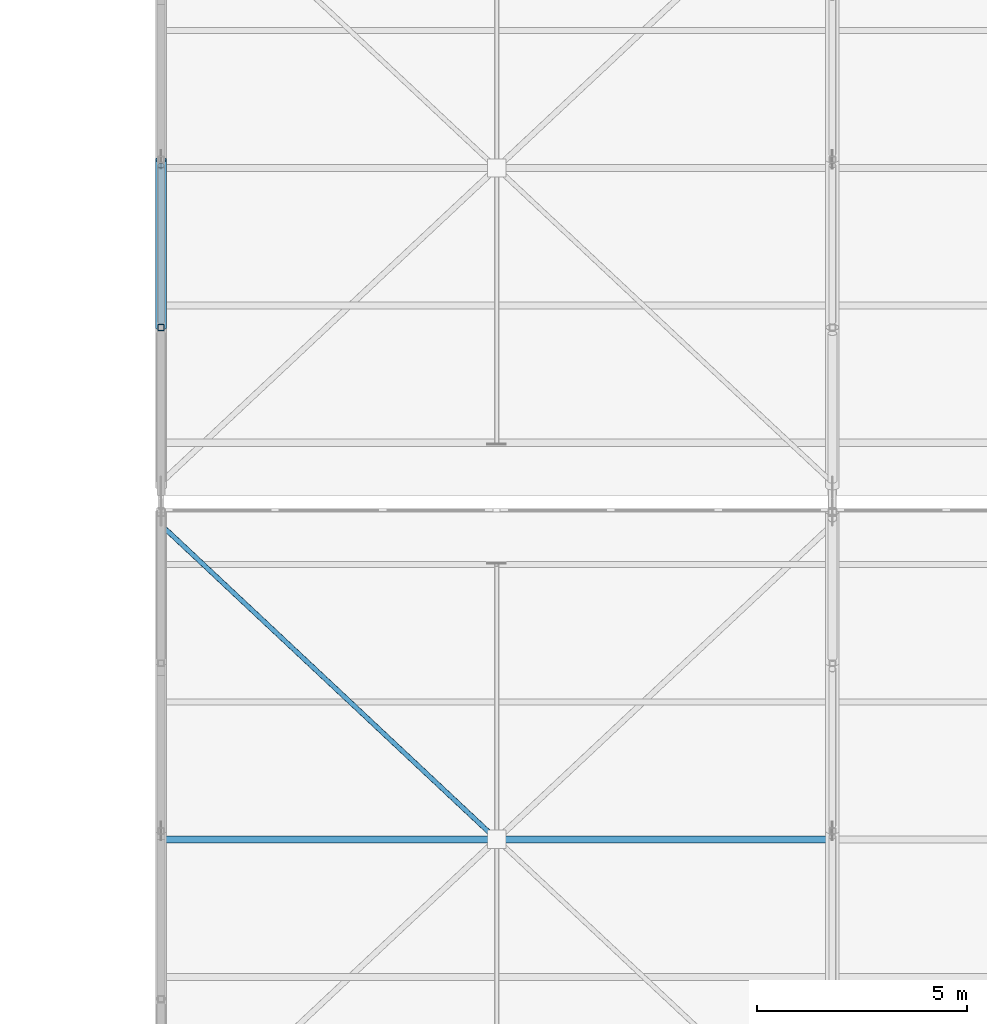
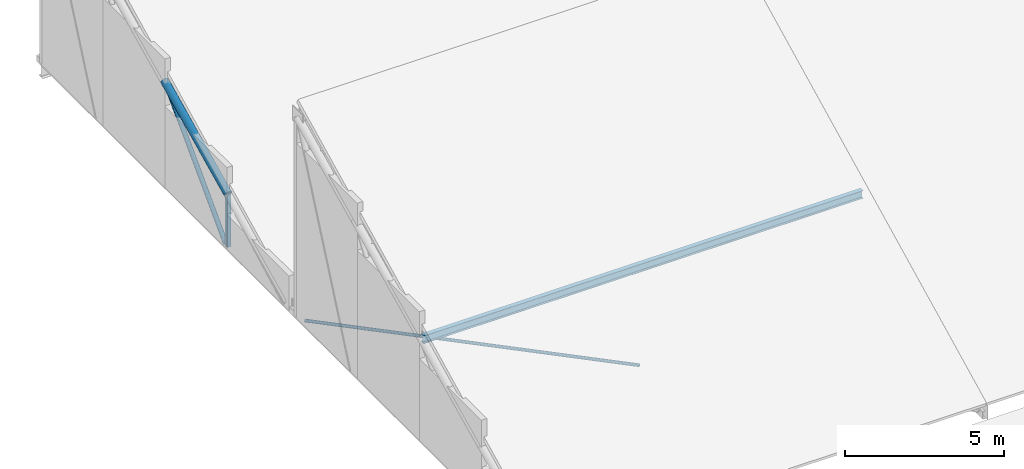
# One storey, part 41 of 137: 4 members, 1 beam.
"""IFC4 building model written with IfcOpenShell, lengths in metres."""

from ifc_helpers import new_model, si_unit, direction, frame, origin, origin_2d, place, context, subcontext, project, spatial, hollow_rectangle, hollow_circle, i_section, extrude, material, material_profile, profile_set, type_object, element, save


model = new_model("IFC4")

# Units and contexts
model_context = context("Model", 3, precision=1e-05, world=origin(), true_north=direction((0.0, 1.0)))
body_context = subcontext(model_context, "Body", "Model", "MODEL_VIEW")
ifc_project = project(units=[si_unit("LENGTHUNIT", "METRE"), si_unit("AREAUNIT", "SQUARE_METRE"), si_unit("VOLUMEUNIT", "CUBIC_METRE"), si_unit("PLANEANGLEUNIT", "RADIAN"), si_unit("MASSUNIT", "GRAM", prefix="KILO")], contexts=[model_context])

# Site, building, storey
site_placement = place(None, origin())
site = spatial("IfcSite", under=ifc_project, at=site_placement, CompositionType="ELEMENT")
building_placement = place(site_placement, origin())
building = spatial("IfcBuilding", under=site, at=building_placement, Name="Jelvoka-Kovrelna Polytechnic", CompositionType="ELEMENT")
storey_placement = place(building_placement, frame((0.0, 0.0, 9.60009765625)))
storey = spatial("IfcBuildingStorey", under=building, at=storey_placement, Name="L03", CompositionType="ELEMENT", Elevation=9.60009765625)

# Members
ifc_material_1 = material(Name="Structural steel S355J2H", Category="steel")
ifc_material_profile_1 = material_profile(ifc_material_1, hollow_circle(Radius=0.05712890625, WallThickness=0.00634765625, at=origin_2d()), Name="114.3x6.3 CHS")
ifc_profile_set_1 = profile_set([ifc_material_profile_1], Name="Structural steel S355J2H")
member_type_1 = type_object("IfcMemberType", Name="Member_Brace_CHS114", PredefinedType="BRACE", material=ifc_profile_set_1)
member_1_placement = place(storey_placement, frame((88.050048828125, 103.25, 0.14990234375), z_axis=(0.729679522085, -0.683789291412, 0.0), x_axis=(0.683789291412, 0.729679522085, 0.0)))
element("IfcMember", 1, at=member_1_placement, inside=storey, type_object=member_type_1, Name="Sawtooth roof split X-brace half-diagonal 0203", PredefinedType="BRACE", context=body_context, shape_type="SweptSolid", body=[
    extrude(hollow_circle(Radius=0.05712890625, WallThickness=0.00634765625, at=origin_2d()), origin(), (0.0, 0.0, 1.0), 10.80517578125),
])
ifc_material_2 = material(Name="Structural steel S355J2H", Category="steel")
ifc_material_profile_2 = material_profile(ifc_material_2, hollow_circle(Radius=0.084228515625, WallThickness=0.008056640625, at=origin_2d()), Name="168.3x8.0 CHS")
ifc_profile_set_2 = profile_set([ifc_material_profile_2], Name="Structural steel S355J2H")
member_type_2 = type_object("IfcMemberType", Name="Member_Brace_CHS168", PredefinedType="BRACE", material=ifc_profile_set_2)
member_2_placement = place(storey_placement, frame((88.0, 108.139892578125, 0.14990234375), z_axis=(0.0, 0.69521468222, 0.718802160282), x_axis=(-1.0, 0.0, 0.0)))
element("IfcMember", 2, at=member_2_placement, inside=storey, type_object=member_type_2, Name="Sawtooth truss 1 diagonal web 2.2", PredefinedType="BRACE", context=body_context, shape_type="SweptSolid", body=[
    extrude(hollow_circle(Radius=0.084228515625, WallThickness=0.008056640625, at=origin_2d()), origin(), (0.0, 0.0, 1.0), 5.35107421875),
])
ifc_material_3 = material(Name="Structural steel S355J2H", Category="steel")
ifc_material_profile_3 = material_profile(ifc_material_3, hollow_circle(Radius=0.136474609375, WallThickness=0.010009765625, at=origin_2d()), Name="273.0x10.0 CHS")
ifc_profile_set_3 = profile_set([ifc_material_profile_3], Name="Structural steel S355J2H")
member_type_3 = type_object("IfcMemberType", Name="Member_Chord_CHS273", PredefinedType="CHORD", material=ifc_profile_set_3)
member_3_placement = place(storey_placement, frame((88.0, 108.0, 2.148193359375), z_axis=(0.0, 0.900799405566, 0.434235455637), x_axis=(-1.0, 0.0, 0.0)))
element("IfcMember", 3, at=member_3_placement, inside=storey, type_object=member_type_3, Name="Sawtooth truss 1 top chord 2.2", PredefinedType="CHORD", context=body_context, shape_type="SweptSolid", body=[
    extrude(hollow_circle(Radius=0.136474609375, WallThickness=0.010009765625, at=origin_2d()), origin(), (0.0, 0.0, 1.0), 4.4404296875),
])
ifc_material_4 = material(Name="Structural steel S355J2H", Category="steel")
ifc_material_profile_4 = material_profile(ifc_material_4, hollow_rectangle(XDim=0.14990234375, YDim=0.14990234375, WallThickness=0.008056640625, InnerFilletRadius=0.008056640625, OuterFilletRadius=0.011962890625, at=origin_2d()), Name="150x150x8.0 SHS")
ifc_profile_set_4 = profile_set([ifc_material_profile_4], Name="Structural steel S355J2H")
member_type_4 = type_object("IfcMemberType", Name="Member_Post_SHS150", PredefinedType="POST", material=ifc_profile_set_4)
member_4_placement = place(storey_placement, frame((88.0, 108.0, 0.14990234375), z_axis=(0.0, 0.0, 1.0), x_axis=(1.0, 0.0, 0.0)))
element("IfcMember", 4, at=member_4_placement, inside=storey, type_object=member_type_4, Name="Sawtooth truss 1 web post 2.2", PredefinedType="POST", context=body_context, shape_type="SweptSolid", body=[
    extrude(hollow_rectangle(XDim=0.14990234375, YDim=0.14990234375, WallThickness=0.008056640625, InnerFilletRadius=0.008056640625, OuterFilletRadius=0.011962890625, at=origin_2d()), origin(), (0.0, 0.0, 1.0), 1.998291015625),
])

# Beam
ifc_material_5 = material(Name="Structural steel S355JR", Category="steel")
ifc_material_profile_5 = material_profile(ifc_material_5, i_section(OverallWidth=0.1650390625, OverallDepth=0.303466796875, WebThickness=0.006103515625, FlangeThickness=0.01025390625, FilletRadius=0.0087890625, at=origin_2d()), Name="305x165x40 UB")
ifc_profile_set_5 = profile_set([ifc_material_profile_5], Name="Structural steel S355JR")
beam_type = type_object("IfcBeamType", Name="Purlin_Steel_UB305", PredefinedType="JOIST", material=ifc_profile_set_5)
beam_placement = place(storey_placement, frame((88.02001953125, 95.800048828125, 3.97998046875), z_axis=(1.0, 0.0, 0.0), x_axis=(0.0, 1.0, 0.0)))
element("IfcBeam", 5, at=beam_placement, inside=storey, type_object=beam_type, Name="Sawtooth roof purlin 003", PredefinedType="JOIST", context=body_context, shape_type="SweptSolid", body=[
    extrude(i_section(OverallWidth=0.1650390625, OverallDepth=0.303466796875, WebThickness=0.006103515625, FlangeThickness=0.01025390625, FilletRadius=0.0087890625, at=origin_2d()), origin(), (0.0, 0.0, 1.0), 15.9599609375),
])

save(model, "model.ifc")
